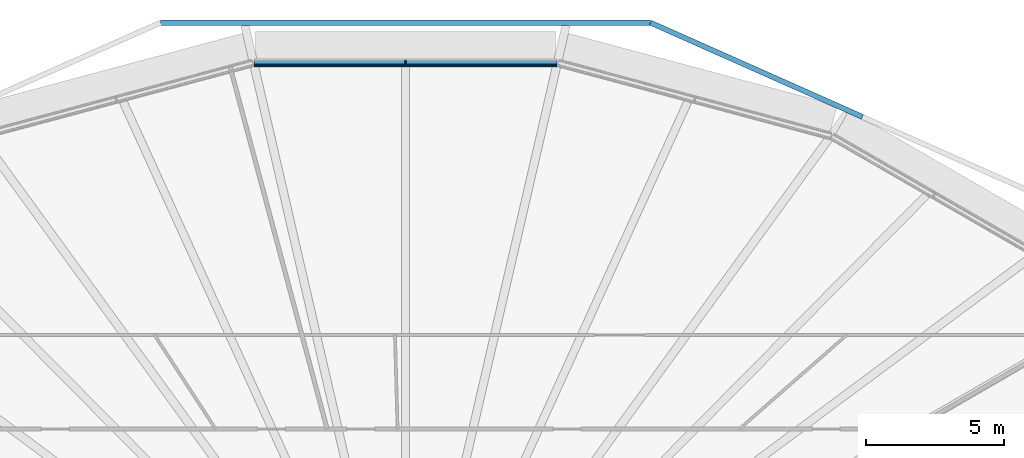
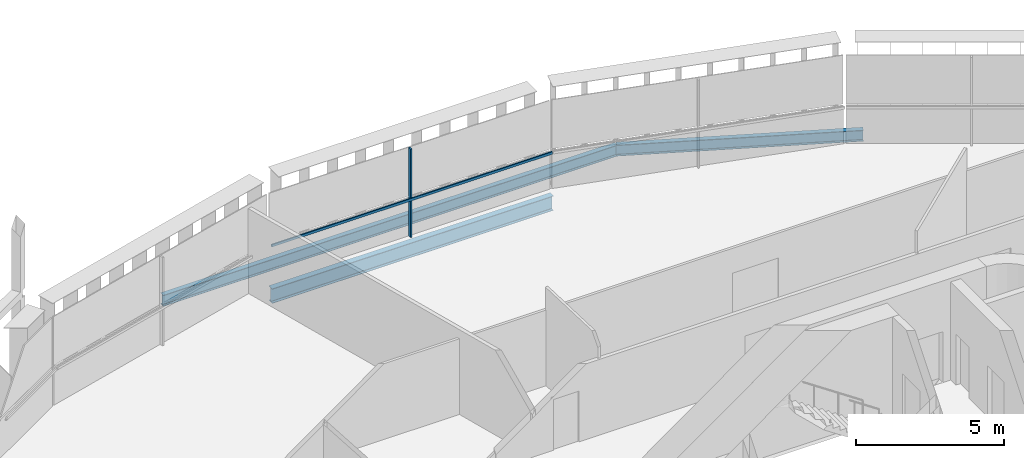
# One storey, part 11 of 26: 3 beams, 2 members, 1 element without a shape of its own.
"""IFC4 building model written with IfcOpenShell, lengths in metres."""

from ifc_helpers import new_model, si_unit, direction, frame, origin, origin_2d, place, context, subcontext, project, spatial, rectangle, i_section, extrude, material, layer, layer_set, material_profile, profile_set, type_object, element, aggregate, save


model = new_model("IFC4")

# Units and contexts
model_context = context("Model", 3, precision=1e-05, world=origin(), true_north=direction((0.0, 1.0)))
body_context = subcontext(model_context, "Body", "Model", "MODEL_VIEW")
ifc_project = project(units=[si_unit("LENGTHUNIT", "METRE"), si_unit("AREAUNIT", "SQUARE_METRE"), si_unit("VOLUMEUNIT", "CUBIC_METRE"), si_unit("PLANEANGLEUNIT", "RADIAN"), si_unit("MASSUNIT", "GRAM", prefix="KILO")], contexts=[model_context])

# Site, building, storey
site_placement = place(None, origin())
site = spatial("IfcSite", under=ifc_project, at=site_placement, CompositionType="ELEMENT")
building_placement = place(site_placement, origin())
building = spatial("IfcBuilding", under=site, at=building_placement, Name="Sahrelin Media Tower", CompositionType="ELEMENT")
storey_placement = place(building_placement, frame((0.0, 0.0, 102.0)))
storey = spatial("IfcBuildingStorey", under=building, at=storey_placement, Name="L19", CompositionType="ELEMENT", Elevation=102.0)

# Beam
ifc_material_1 = material(Name="Steel S355", Category="steel")
ifc_material_profile_1 = material_profile(ifc_material_1, i_section(OverallWidth=0.2275390625, OverallDepth=0.6025390625, WebThickness=0.010498046875, FlangeThickness=0.014892578125, FilletRadius=0.0126953125, at=origin_2d()), Name="UB 610x229x101")
ifc_profile_set_1 = profile_set([ifc_material_profile_1], Name="Steel S355")
beam_type_1 = type_object("IfcBeamType", Name="Edge beam EB7", PredefinedType="BEAM", material=ifc_profile_set_1)
beam_1_placement = place(storey_placement, frame((-5.49658203125, 23.8271484375, -0.451416015625), z_axis=(1.0, 0.0, 0.0), x_axis=(0.0, 1.0, 0.0)))
element("IfcBeam", 1, at=beam_1_placement, inside=storey, type_object=beam_type_1, Name="Edge beam L19-19", PredefinedType="BEAM", context=body_context, shape_type="SweptSolid", body=[
    extrude(i_section(OverallWidth=0.2275390625, OverallDepth=0.6025390625, WebThickness=0.010498046875, FlangeThickness=0.014892578125, FilletRadius=0.0126953125, at=origin_2d()), origin(), (0.0, 0.0, 1.0), 10.9931640625),
])

# Curtain wall, member
ifc_material_2 = material(Name="Champagne anodised aluminium 6063-T6", Category="aluminium")
ifc_layer = layer(ifc_material_2, 0.14990234375)
ifc_layer_set = layer_set([ifc_layer], Name="Tower ribbon curtain wall")
curtain_wall_type = type_object("IfcCurtainWallType", Name="Tower ribbon curtain wall", PredefinedType="NOTDEFINED", material=ifc_layer_set)
curtain_wall_placement = place(storey_placement, frame((0.0, 23.97705078125, 0.0), z_axis=(0.0, 0.0, 1.0), x_axis=(1.0, 0.0, 0.0)))
curtain_wall = element("IfcCurtainWall", 2, at=curtain_wall_placement, inside=storey, type_object=curtain_wall_type, Name="L19:CW:L19-06", PredefinedType="NOTDEFINED")
ifc_material_profile_2 = material_profile(ifc_material_2, rectangle(XDim=0.06005859375, YDim=0.14990234375, at=origin_2d()), Name="Mullion 60x150")
ifc_profile_set_2 = profile_set([ifc_material_profile_2], Name="Champagne anodised aluminium 6063-T6")
member_type_1 = type_object("IfcMemberType", Name="Mullion 60x150 CW1", PredefinedType="MULLION", material=ifc_profile_set_2)
member_1_placement = place(storey_placement, frame((0.0, 23.882080078125, 0.0), z_axis=(0.0, 0.0, 1.0), x_axis=(-1.0, 0.0, 0.0)))
member_1 = element("IfcMember", 3, at=member_1_placement, type_object=member_type_1, Name="L19:CWM:L19-06", PredefinedType="MULLION", context=body_context, shape_type="SweptSolid", body=[
    extrude(rectangle(XDim=0.06005859375, YDim=0.14990234375, at=origin_2d()), origin(), (0.0, 0.0, 1.0), 3.648681640625),
])

# Beams
ifc_material_profile_3 = material_profile(ifc_material_1, i_section(OverallWidth=0.1904296875, OverallDepth=0.45703125, WebThickness=0.009033203125, FlangeThickness=0.014404296875, FilletRadius=0.01025390625, at=origin_2d()), Name="UB 457x191x74")
ifc_profile_set_3 = profile_set([ifc_material_profile_3], Name="Steel S355")
beam_type_2 = type_object("IfcBeamType", Name="Tie chord TC5", PredefinedType="BEAM", material=ifc_profile_set_3)
beam_2_placement = place(storey_placement, frame((-8.87451171875, 25.32080078125, -0.37841796875), z_axis=(1.0, 0.0, 0.0), x_axis=(0.0, 1.0, 0.0)))
element("IfcBeam", 4, at=beam_2_placement, inside=storey, type_object=beam_type_2, Name="Tie chord L19-16", PredefinedType="BEAM", context=body_context, shape_type="SweptSolid", body=[
    extrude(i_section(OverallWidth=0.1904296875, OverallDepth=0.45703125, WebThickness=0.009033203125, FlangeThickness=0.014404296875, FilletRadius=0.01025390625, at=origin_2d()), origin(), (0.0, 0.0, 1.0), 17.7490234375),
])
beam_3_placement = place(storey_placement, frame((8.87451171875, 25.32080078125, -0.37841796875), z_axis=(0.913854661009, -0.406041449304, 0.0), x_axis=(0.406041449304, 0.913854661009, 0.0)))
element("IfcBeam", 5, at=beam_3_placement, inside=storey, type_object=beam_type_2, Name="Tie chord L19-17", PredefinedType="BEAM", context=body_context, shape_type="SweptSolid", body=[
    extrude(i_section(OverallWidth=0.1904296875, OverallDepth=0.45703125, WebThickness=0.009033203125, FlangeThickness=0.014404296875, FilletRadius=0.01025390625, at=origin_2d()), origin(), (0.0, 0.0, 1.0), 8.40576171875),
])

# Member
ifc_material_profile_4 = material_profile(ifc_material_2, rectangle(XDim=0.050048828125, YDim=0.10009765625, at=origin_2d()), Name="Transom 50x100")
ifc_profile_set_4 = profile_set([ifc_material_profile_4], Name="Champagne anodised aluminium 6063-T6")
member_type_2 = type_object("IfcMemberType", Name="Transom 50x100 CW1", PredefinedType="USERDEFINED", material=ifc_profile_set_4)
member_2_placement = place(storey_placement, frame((5.48095703125, 23.781982421875, 1.60009765625), z_axis=(-1.0, 0.0, 0.0), x_axis=(0.0, -1.0, 0.0)))
member_2 = element("IfcMember", 6, at=member_2_placement, type_object=member_type_2, Name="L19:CWT:L19-06", ObjectType="TRANSOM", PredefinedType="USERDEFINED", context=body_context, shape_type="SweptSolid", body=[
    extrude(rectangle(XDim=0.050048828125, YDim=0.10009765625, at=origin_2d()), origin(), (0.0, 0.0, 1.0), 10.9619140625),
])

aggregate(curtain_wall, [member_1, member_2])

save(model, "model.ifc")
